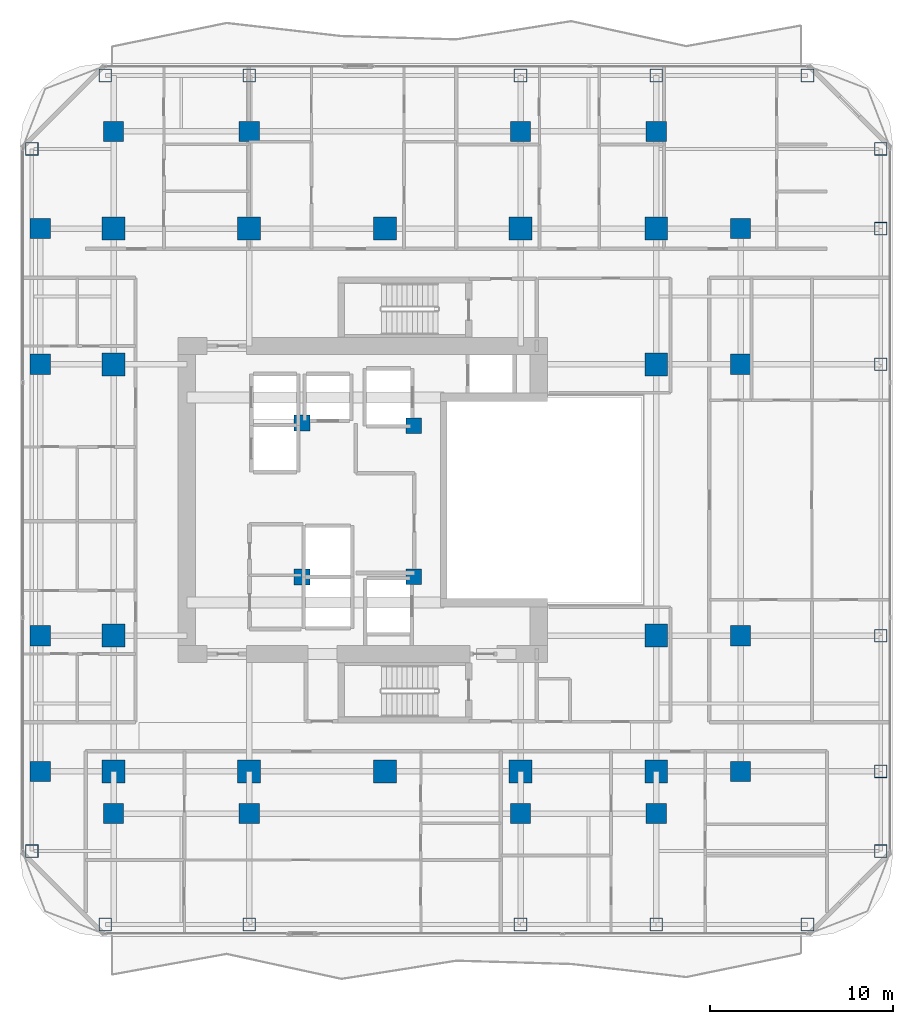
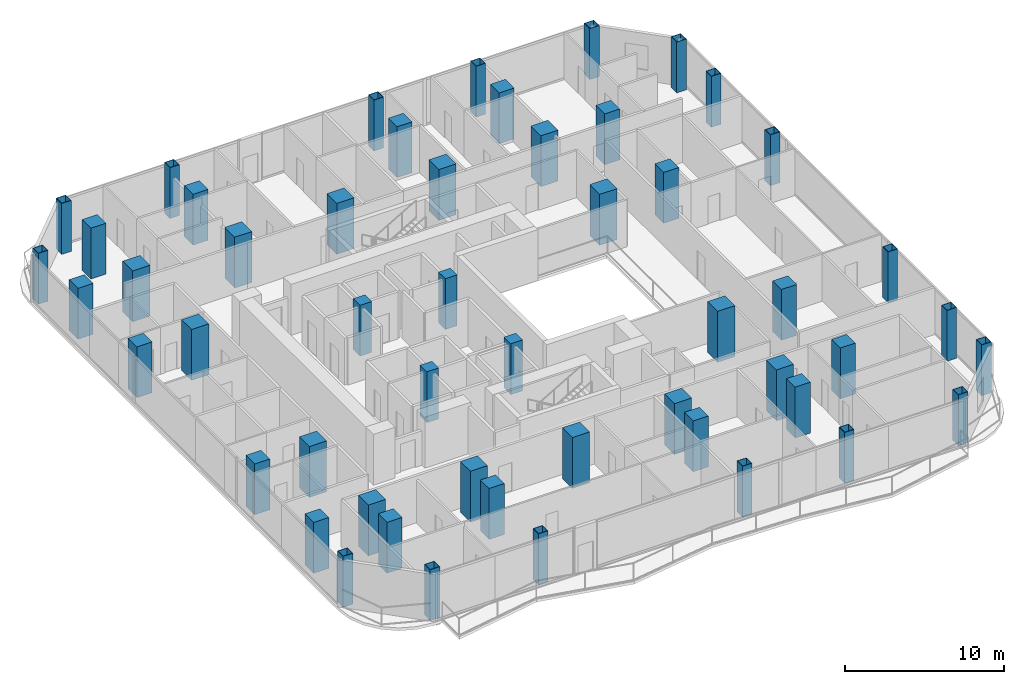
# One storey, part 1 of 27: 52 columns.
"""IFC4 building model written with IfcOpenShell, lengths in metres."""

from ifc_helpers import new_model, si_unit, direction, frame, origin, origin_2d, place, context, subcontext, project, spatial, rectangle, hollow_rectangle, extrude, material, material_profile, profile_set, type_object, element, save


model = new_model("IFC4")

# Units and contexts
model_context = context("Model", 3, precision=1e-05, world=origin(), true_north=direction((0.0, 1.0)))
body_context = subcontext(model_context, "Body", "Model", "MODEL_VIEW")
ifc_project = project(units=[si_unit("LENGTHUNIT", "METRE"), si_unit("AREAUNIT", "SQUARE_METRE"), si_unit("VOLUMEUNIT", "CUBIC_METRE"), si_unit("PLANEANGLEUNIT", "RADIAN"), si_unit("MASSUNIT", "GRAM", prefix="KILO")], contexts=[model_context])

# Site, building, storey
site_placement = place(None, origin())
site = spatial("IfcSite", under=ifc_project, at=site_placement, CompositionType="ELEMENT")
building_placement = place(site_placement, origin())
building = spatial("IfcBuilding", under=site, at=building_placement, Name="Khorvyn Point Tower", CompositionType="ELEMENT")
storey_placement = place(building_placement, frame((0.0, 0.0, 152.39990234375)))
storey = spatial("IfcBuildingStorey", under=building, at=storey_placement, Name="L38", CompositionType="ELEMENT", Elevation=152.39990234375)

# Columns
ifc_material_1 = material(Name="Concrete C40/50", Category="concrete")
ifc_material_profile_1 = material_profile(ifc_material_1, rectangle(XDim=0.85009765625, YDim=0.85009765625, at=origin_2d()))
ifc_profile_set_1 = profile_set([ifc_material_profile_1], Name="Concrete C40/50 RC850x850")
column_type_1 = type_object("IfcColumnType", Name="Concrete C40/50 Column RC850x850", PredefinedType="COLUMN", material=ifc_profile_set_1)
for number, where, z_axis, x_axis, name in (
    (1, (-4.52001953125, -4.199951171875, 0.0), (0.0, 0.0, 1.0), (1.0, 0.0, 0.0), "L38 Crown Core Spine Column 1"),
    (2, (1.580078125, -4.179931640625, 0.0), (0.0, 0.0, 1.0), (1.0, 0.0, 0.0), "L38 Crown Core Spine Column 2"),
    (3, (1.580078125, 4.050048828125, 0.0), (0.0, 0.0, 1.0), (1.0, 0.0, 0.0), "L38 Crown Core Spine Column 3"),
    (4, (-4.52001953125, 4.199951171875, 0.0), (0.0, 0.0, 1.0), (1.0, 0.0, 0.0), "L38 Crown Core Spine Column 4"),
):
    element("IfcColumn", number, at=place(storey_placement, frame(where, z_axis=z_axis, x_axis=x_axis)), inside=storey, type_object=column_type_1, Name=name, PredefinedType="COLUMN", context=body_context, shape_type="SweptSolid", body=[
        extrude(rectangle(XDim=0.85009765625, YDim=0.85009765625, at=origin_2d()), origin(), (0.0, 0.0, 1.0), 3.900146484375),
    ])
ifc_material_2 = material(Name="Concrete C45/55", Category="concrete")
ifc_material_profile_2 = material_profile(ifc_material_2, rectangle(XDim=1.10009765625, YDim=1.10009765625, at=origin_2d()))
ifc_profile_set_2 = profile_set([ifc_material_profile_2], Name="Concrete C45/55 RC1100x1100")
column_type_2 = type_object("IfcColumnType", Name="Concrete C45/55 Column RC1100x1100", PredefinedType="COLUMN", material=ifc_profile_set_2)
for number, where, z_axis, x_axis, name in (
    (5, (-18.800048828125, -14.800048828125, 0.0), (0.0, 0.0, 1.0), (1.0, 0.0, 0.0), "L38 Intermediate Column ICW--14"),
    (6, (-18.800048828125, -7.39990234375, 0.0), (0.0, 0.0, 1.0), (1.0, 0.0, 0.0), "L38 Intermediate Column ICW--7"),
    (7, (-18.800048828125, 7.39990234375, 0.0), (0.0, 0.0, 1.0), (1.0, 0.0, 0.0), "L38 Intermediate Column ICW-7"),
    (8, (-18.800048828125, 14.800048828125, 0.0), (0.0, 0.0, 1.0), (1.0, 0.0, 0.0), "L38 Intermediate Column ICW-14"),
    (9, (19.39990234375, -14.800048828125, 0.0), (0.0, 0.0, 1.0), (1.0, 0.0, 0.0), "L38 Intermediate Column ICE--14"),
    (10, (19.39990234375, -7.39990234375, 0.0), (0.0, 0.0, 1.0), (1.0, 0.0, 0.0), "L38 Intermediate Column ICE--7"),
    (11, (19.39990234375, 7.39990234375, 0.0), (0.0, 0.0, 1.0), (1.0, 0.0, 0.0), "L38 Intermediate Column ICE-7"),
    (12, (19.39990234375, 14.800048828125, 0.0), (0.0, 0.0, 1.0), (1.0, 0.0, 0.0), "L38 Intermediate Column ICE-14"),
    (13, (-14.800048828125, -17.10009765625, 0.0), (0.0, 0.0, 1.0), (1.0, 0.0, 0.0), "L38 Intermediate Column ICS--14"),
    (14, (-7.39990234375, -17.10009765625, 0.0), (0.0, 0.0, 1.0), (1.0, 0.0, 0.0), "L38 Intermediate Column ICS--7"),
    (15, (7.39990234375, -17.10009765625, 0.0), (0.0, 0.0, 1.0), (1.0, 0.0, 0.0), "L38 Intermediate Column ICS-7"),
    (16, (14.800048828125, -17.10009765625, 0.0), (0.0, 0.0, 1.0), (1.0, 0.0, 0.0), "L38 Intermediate Column ICS-14"),
    (17, (-14.800048828125, 20.10009765625, 0.0), (0.0, 0.0, 1.0), (1.0, 0.0, 0.0), "L38 Intermediate Column ICN--14"),
    (18, (-7.39990234375, 20.10009765625, 0.0), (0.0, 0.0, 1.0), (1.0, 0.0, 0.0), "L38 Intermediate Column ICN--7"),
    (19, (7.39990234375, 20.10009765625, 0.0), (0.0, 0.0, 1.0), (1.0, 0.0, 0.0), "L38 Intermediate Column ICN-7"),
    (20, (14.800048828125, 20.10009765625, 0.0), (0.0, 0.0, 1.0), (1.0, 0.0, 0.0), "L38 Intermediate Column ICN-14"),
):
    element("IfcColumn", number, at=place(storey_placement, frame(where, z_axis=z_axis, x_axis=x_axis)), inside=storey, type_object=column_type_2, Name=name, PredefinedType="COLUMN", context=body_context, shape_type="SweptSolid", body=[
        extrude(rectangle(XDim=1.10009765625, YDim=1.10009765625, at=origin_2d()), origin(), (0.0, 0.0, 1.0), 3.900146484375),
    ])
ifc_material_3 = material(Name="Concrete C50/60", Category="concrete")
ifc_material_profile_3 = material_profile(ifc_material_3, rectangle(XDim=1.25, YDim=1.25, at=origin_2d()))
ifc_profile_set_3 = profile_set([ifc_material_profile_3], Name="Concrete C50/60 RC1250x1250")
column_type_3 = type_object("IfcColumnType", Name="Concrete C50/60 Column RC1250x1250", PredefinedType="COLUMN", material=ifc_profile_set_3)
for number, where, z_axis, x_axis, name in (
    (21, (-14.800048828125, -14.800048828125, 0.0), (0.0, 0.0, 1.0), (1.0, 0.0, 0.0), "L38 Mega-Column MC-01"),
    (22, (-7.39990234375, -14.800048828125, 0.0), (0.0, 0.0, 1.0), (1.0, 0.0, 0.0), "L38 Mega-Column MC-02"),
    (23, (0.0, -14.800048828125, 0.0), (0.0, 0.0, 1.0), (1.0, 0.0, 0.0), "L38 Mega-Column MC-03"),
    (24, (7.39990234375, -14.800048828125, 0.0), (0.0, 0.0, 1.0), (1.0, 0.0, 0.0), "L38 Mega-Column MC-04"),
    (25, (14.800048828125, -14.800048828125, 0.0), (0.0, 0.0, 1.0), (1.0, 0.0, 0.0), "L38 Mega-Column MC-05"),
    (26, (-14.800048828125, 14.800048828125, 0.0), (0.0, 0.0, 1.0), (1.0, 0.0, 0.0), "L38 Mega-Column MC-06"),
    (27, (-7.39990234375, 14.800048828125, 0.0), (0.0, 0.0, 1.0), (1.0, 0.0, 0.0), "L38 Mega-Column MC-07"),
    (28, (0.0, 14.800048828125, 0.0), (0.0, 0.0, 1.0), (1.0, 0.0, 0.0), "L38 Mega-Column MC-08"),
    (29, (7.39990234375, 14.800048828125, 0.0), (0.0, 0.0, 1.0), (1.0, 0.0, 0.0), "L38 Mega-Column MC-09"),
    (30, (14.800048828125, 14.800048828125, 0.0), (0.0, 0.0, 1.0), (1.0, 0.0, 0.0), "L38 Mega-Column MC-10"),
    (31, (-14.800048828125, -7.39990234375, 0.0), (0.0, 0.0, 1.0), (1.0, 0.0, 0.0), "L38 Mega-Column MC-11"),
    (32, (-14.800048828125, 7.39990234375, 0.0), (0.0, 0.0, 1.0), (1.0, 0.0, 0.0), "L38 Mega-Column MC-12"),
    (33, (14.800048828125, -7.39990234375, 0.0), (0.0, 0.0, 1.0), (1.0, 0.0, 0.0), "L38 Mega-Column MC-13"),
    (34, (14.800048828125, 7.39990234375, 0.0), (0.0, 0.0, 1.0), (1.0, 0.0, 0.0), "L38 Mega-Column MC-14"),
):
    element("IfcColumn", number, at=place(storey_placement, frame(where, z_axis=z_axis, x_axis=x_axis)), inside=storey, type_object=column_type_3, Name=name, PredefinedType="COLUMN", context=body_context, shape_type="SweptSolid", body=[
        extrude(rectangle(XDim=1.25, YDim=1.25, at=origin_2d()), origin(), (0.0, 0.0, 1.0), 3.900146484375),
    ])
ifc_material_4 = material(Name="Steel S450", Category="steel")
ifc_material_profile_4 = material_profile(ifc_material_4, hollow_rectangle(XDim=0.699951171875, YDim=0.699951171875, WallThickness=0.031982421875, at=origin_2d()))
ifc_profile_set_4 = profile_set([ifc_material_profile_4], Name="Steel S450 BOX700x700x32")
column_type_4 = type_object("IfcColumnType", Name="Steel S450 Structural Column BOX700x700x32", PredefinedType="COLUMN", material=ifc_profile_set_4)
for number, where, z_axis, x_axis, name in (
    (35, (-15.25, -23.14990234375, 0.0), (0.0, 0.0, 1.0), (1.0, 0.0, 0.0), "L38 Perimeter Tube Column TC-01"),
    (36, (23.050048828125, -23.14990234375, 0.0), (0.0, 0.0, 1.0), (1.0, 0.0, 0.0), "L38 Perimeter Tube Column TC-02"),
    (37, (-15.25, 23.14990234375, 0.0), (0.0, 0.0, 1.0), (1.0, 0.0, 0.0), "L38 Perimeter Tube Column TC-03"),
    (38, (23.050048828125, 23.14990234375, 0.0), (0.0, 0.0, 1.0), (1.0, 0.0, 0.0), "L38 Perimeter Tube Column TC-04"),
    (39, (-19.25, -19.14990234375, 0.0), (0.0, 0.0, 1.0), (1.0, 0.0, 0.0), "L38 Perimeter Tube Column TC-05"),
    (40, (-19.25, 19.14990234375, 0.0), (0.0, 0.0, 1.0), (1.0, 0.0, 0.0), "L38 Perimeter Tube Column TC-06"),
    (41, (27.050048828125, -19.14990234375, 0.0), (0.0, 0.0, 1.0), (1.0, 0.0, 0.0), "L38 Perimeter Tube Column TC-07"),
    (42, (27.050048828125, 19.14990234375, 0.0), (0.0, 0.0, 1.0), (1.0, 0.0, 0.0), "L38 Perimeter Tube Column TC-08"),
    (43, (-7.39990234375, -23.14990234375, 0.0), (0.0, 0.0, 1.0), (1.0, 0.0, 0.0), "L38 Perimeter Tube Column TC-09"),
    (44, (-7.39990234375, 23.14990234375, 0.0), (0.0, 0.0, 1.0), (1.0, 0.0, 0.0), "L38 Perimeter Tube Column TC-10"),
    (45, (7.39990234375, -23.14990234375, 0.0), (0.0, 0.0, 1.0), (1.0, 0.0, 0.0), "L38 Perimeter Tube Column TC-11"),
    (46, (7.39990234375, 23.14990234375, 0.0), (0.0, 0.0, 1.0), (1.0, 0.0, 0.0), "L38 Perimeter Tube Column TC-12"),
    (47, (14.800048828125, -23.14990234375, 0.0), (0.0, 0.0, 1.0), (1.0, 0.0, 0.0), "L38 Perimeter Tube Column TC-13"),
    (48, (14.800048828125, 23.14990234375, 0.0), (0.0, 0.0, 1.0), (1.0, 0.0, 0.0), "L38 Perimeter Tube Column TC-14"),
    (49, (27.050048828125, -14.800048828125, 0.0), (0.0, 0.0, 1.0), (1.0, 0.0, 0.0), "L38 Perimeter Tube Column TC-15"),
    (50, (27.050048828125, -7.39990234375, 0.0), (0.0, 0.0, 1.0), (1.0, 0.0, 0.0), "L38 Perimeter Tube Column TC-16"),
    (51, (27.050048828125, 7.39990234375, 0.0), (0.0, 0.0, 1.0), (1.0, 0.0, 0.0), "L38 Perimeter Tube Column TC-17"),
    (52, (27.050048828125, 14.800048828125, 0.0), (0.0, 0.0, 1.0), (1.0, 0.0, 0.0), "L38 Perimeter Tube Column TC-18"),
):
    element("IfcColumn", number, at=place(storey_placement, frame(where, z_axis=z_axis, x_axis=x_axis)), inside=storey, type_object=column_type_4, Name=name, PredefinedType="COLUMN", context=body_context, shape_type="SweptSolid", body=[
        extrude(hollow_rectangle(XDim=0.699951171875, YDim=0.699951171875, WallThickness=0.031982421875, at=origin_2d()), origin(), (0.0, 0.0, 1.0), 3.900146484375),
    ])

save(model, "model.ifc")
